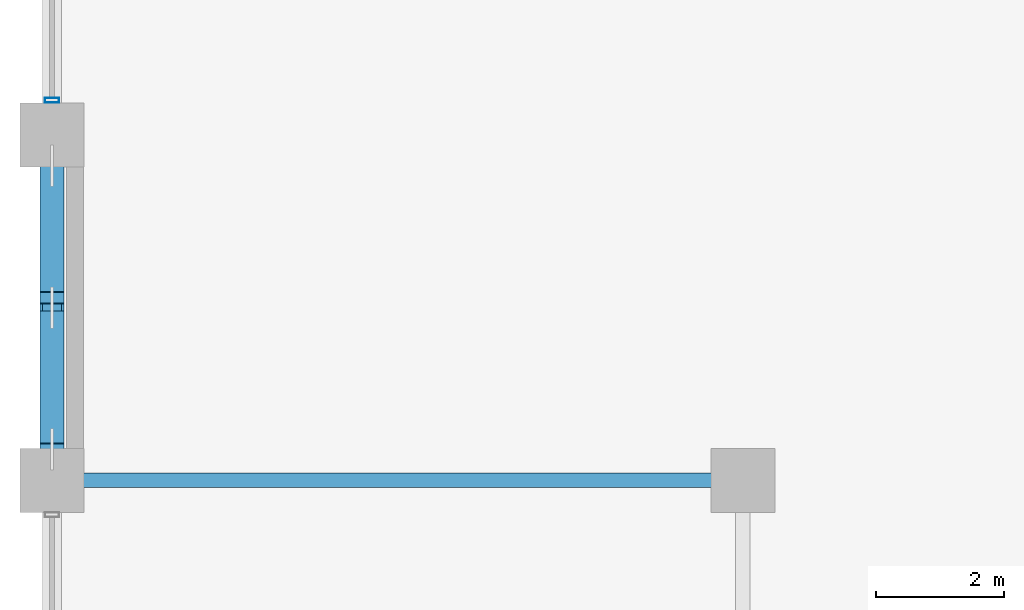
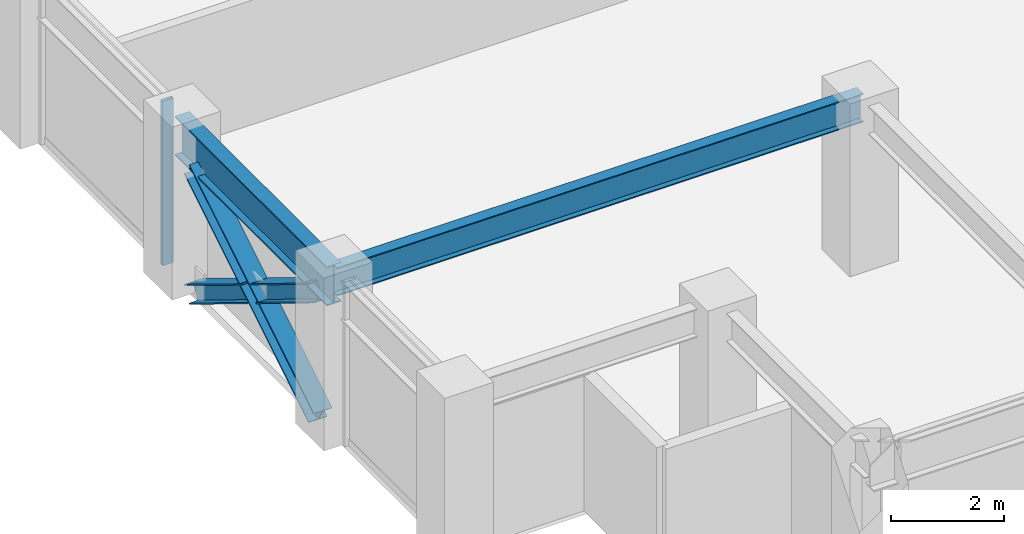
# One storey, part 3 of 23: 4 members, 2 beams, 1 element without a shape of its own.
"""IFC4 building model written with IfcOpenShell, lengths in metres."""

import ifcopenshell
import ifcopenshell.guid

model = None  # the IFC model being written
_history = None  # IfcOwnerHistory: only IFC2X3 demands one
_inside = {}  # id of a spatial element -> (the spatial element, [elements in it])
_under = {}  # id of a project, library or spatial element -> (it, [spatial elements below it])
_declared = {}  # id of a project -> (the project, [libraries it declares])
_typed = {}  # id of a type object -> (the type object, [elements of that type])
_made_of = {}  # id of a material, layer set ... -> (it, [elements and type objects made of it])


def new_model(schema):
    """Start an empty IFC model of exactly this schema.

    Asked for "IFC4X3", IfcOpenShell would pick the latest addendum, in which some entities
    have other attributes; the version numbers below select the first issue.
    IFC2X3 requires an IfcOwnerHistory on every rooted entity: one is made here for all.
    """
    global model, _history
    if schema == "IFC4X3":
        model = ifcopenshell.file(schema_version=(4, 3, 0, 0))
    else:
        model = ifcopenshell.file(schema=schema)
    _inside.clear()
    _under.clear()
    _declared.clear()
    _typed.clear()
    _made_of.clear()
    _history = None
    if model.schema == "IFC2X3":
        org = make("IfcOrganization", Name="unknown")
        user = make(
            "IfcPersonAndOrganization",
            ThePerson=make("IfcPerson", FamilyName="unknown"),
            TheOrganization=org,
        )
        app = make(
            "IfcApplication",
            ApplicationDeveloper=org,
            Version="unknown",
            ApplicationFullName="unknown",
            ApplicationIdentifier="unknown",
        )
        _history = make(
            "IfcOwnerHistory",
            OwningUser=user,
            OwningApplication=app,
            ChangeAction="ADDED",
            CreationDate=0,
        )
    return model


def make(cls, **values):
    """One entity of the class cls with the attributes given. An attribute that is None is left unset."""
    return model.create_entity(
        cls, **{name: value for name, value in values.items() if value is not None}
    )


def rooted(cls, **values):
    """An entity with a GlobalId (a new one), such as an element, a storey or a relation."""
    return make(cls, GlobalId=ifcopenshell.guid.new(), OwnerHistory=_history, **values)


def si_unit(unit_type, name, prefix=None):
    """IfcSIUnit, for example si_unit("LENGTHUNIT", "METRE", prefix="MILLI")."""
    return make("IfcSIUnit", UnitType=unit_type, Prefix=prefix, Name=name)


def assignment(units):
    """IfcUnitAssignment: the units of a project."""
    return None if units is None else make("IfcUnitAssignment", Units=units)


def point(xyz):
    """IfcCartesianPoint."""
    return None if xyz is None else make("IfcCartesianPoint", Coordinates=xyz)


def direction(xyz):
    """IfcDirection."""
    return None if xyz is None else make("IfcDirection", DirectionRatios=xyz)


def frame(location, z_axis=None, x_axis=None):
    """IfcAxis2Placement3D, a coordinate frame: its origin and axes. An axis left out is left unset."""
    return make(
        "IfcAxis2Placement3D",
        Location=point(location),
        Axis=direction(z_axis),
        RefDirection=direction(x_axis),
    )


def frame_2d(location, x_axis=None):
    """IfcAxis2Placement2D, a coordinate frame in the plane: its origin and x axis."""
    return make(
        "IfcAxis2Placement2D", Location=point(location), RefDirection=direction(x_axis)
    )


def origin():
    """The frame at (0, 0, 0) with its axes left unset."""
    return frame((0.0, 0.0, 0.0))


def origin_2d():
    """The frame at (0, 0) in the plane with its x axis left unset."""
    return frame_2d((0.0, 0.0))


def place(relative_to, where):
    """IfcLocalPlacement: puts the frame where relative to a parent placement (None: the world)."""
    return make(
        "IfcLocalPlacement", PlacementRelTo=relative_to, RelativePlacement=where
    )


def context(
    kind, dimensions, precision=None, world=None, true_north=None, identifier=None
):
    """IfcGeometricRepresentationContext, for example the 3D "Model" context."""
    return make(
        "IfcGeometricRepresentationContext",
        ContextIdentifier=identifier,
        ContextType=kind,
        CoordinateSpaceDimension=dimensions,
        Precision=precision,
        WorldCoordinateSystem=world,
        TrueNorth=true_north,
    )


def subcontext(parent, identifier, kind, view, scale=None):
    """IfcGeometricRepresentationSubContext, for example "Body" below "Model"."""
    return make(
        "IfcGeometricRepresentationSubContext",
        ContextIdentifier=identifier,
        ContextType=kind,
        ParentContext=parent,
        TargetScale=scale,
        TargetView=view,
    )


def project(units=None, contexts=None):
    """IfcProject with its units and contexts."""
    return rooted(
        "IfcProject",
        Name="project",
        RepresentationContexts=contexts,
        UnitsInContext=assignment(units),
    )


def spatial(cls, under=None, at=None, **own):
    """A site, building, storey or space (cls), placed at a placement, below another one or the project."""
    s = rooted(cls, ObjectPlacement=at, **own)
    if under is not None:
        _under.setdefault(under.id(), (under, []))[1].append(s)
    return s


def profile(cls, at=None, kind="AREA", **sizes):
    """A parametric profile (cls). Its sizes go by their IFC names, for example OverallWidth=200.0."""
    return make(cls, ProfileType=kind, Position=at, **sizes)


def hollow_rectangle(**sizes):
    """IfcRectangleHollowProfileDef."""
    return profile("IfcRectangleHollowProfileDef", **sizes)


def i_section(**sizes):
    """IfcIShapeProfileDef."""
    return profile("IfcIShapeProfileDef", **sizes)


def extrude(swept, where, along, depth):
    """IfcExtrudedAreaSolid: the profile swept, set in the frame where, extruded along a direction by depth."""
    return make(
        "IfcExtrudedAreaSolid",
        SweptArea=swept,
        Position=where,
        ExtrudedDirection=direction(along),
        Depth=depth,
    )


def shape(context_of_items, identifier, shape_type, items):
    """IfcShapeRepresentation: the items that make up one representation, for example the "Body"."""
    return make(
        "IfcShapeRepresentation",
        ContextOfItems=context_of_items,
        RepresentationIdentifier=identifier,
        RepresentationType=shape_type,
        Items=items,
    )


def material(Name=None, Category=None):
    """IfcMaterial."""
    return make("IfcMaterial", Name=Name, Category=Category)


def layer(
    of_material, thickness, ventilated=None, Name=None, Category=None, Priority=None
):
    """IfcMaterialLayer: one layer of a wall or slab, of a material (None: an air gap)."""
    return make(
        "IfcMaterialLayer",
        Material=of_material,
        LayerThickness=thickness,
        IsVentilated=ventilated,
        Name=Name,
        Category=Category,
        Priority=Priority,
    )


def layer_set(layers, Name=None):
    """IfcMaterialLayerSet."""
    return make("IfcMaterialLayerSet", MaterialLayers=layers, LayerSetName=Name)


def material_profile(
    of_material, cross_section, Name=None, Category=None, Priority=None
):
    """IfcMaterialProfile: a cross section and its material."""
    return make(
        "IfcMaterialProfile",
        Name=Name,
        Material=of_material,
        Profile=cross_section,
        Priority=Priority,
        Category=Category,
    )


def profile_set(profiles, Name=None, composite=None):
    """IfcMaterialProfileSet."""
    return make(
        "IfcMaterialProfileSet",
        Name=Name,
        MaterialProfiles=profiles,
        CompositeProfile=composite,
    )


def made_of(thing, what):
    """Note that an element or type object is made of a material, layer set ...; save() writes the relation."""
    if what is not None:
        _made_of.setdefault(what.id(), (what, []))[1].append(thing)
    return thing


def type_object(cls, material=None, **own):
    """A type object (cls), such as IfcWallType, which elements share."""
    return made_of(rooted(cls, **own), material)


def element(
    cls,
    number,
    at=None,
    inside=None,
    cuts=None,
    type_object=None,
    material=None,
    context=None,
    identifier="Body",
    shape_type=None,
    held_by="IfcProductDefinitionShape",
    body=None,
    shapes=None,
    **own,
):
    """One element of the class cls, such as IfcWall. Its Tag is "e" and its number.

    at: its placement. inside: the storey or other place that contains it. cuts: it is an
    opening in that element (IfcRelVoidsElement). A single representation is given by context,
    identifier, shape_type and body (its items); several are given by shapes. held_by: the class
    of the entity that holds the representations. save() writes the other relations.
    """
    e = rooted(cls, Tag="e%d" % number, ObjectPlacement=at, **own)
    if body is not None:
        shapes = [shape(context, identifier, shape_type, body)]
    if shapes is not None:
        e.Representation = make(held_by, Representations=shapes)
    if inside is not None:
        _inside.setdefault(inside.id(), (inside, []))[1].append(e)
    if cuts is not None:
        rooted(
            "IfcRelVoidsElement", RelatingBuildingElement=cuts, RelatedOpeningElement=e
        )
    if type_object is not None:
        _typed.setdefault(type_object.id(), (type_object, []))[1].append(e)
    return made_of(e, material)


def aggregate(whole, parts):
    """IfcRelAggregates: a whole, such as a stair, and the parts it consists of."""
    return rooted("IfcRelAggregates", RelatingObject=whole, RelatedObjects=parts)


def save(model, path):
    """Write the relations noted so far, then the file.

    IfcRelAggregates (storeys below a building ...), IfcRelContainedInSpatialStructure (elements
    in a storey), IfcRelDefinesByType, IfcRelAssociatesMaterial and IfcRelDeclares: one each for
    every whole, place, type object, material and project.
    """
    for whole, parts in _under.values():
        aggregate(whole, parts)
    for where, things in _inside.values():
        rooted(
            "IfcRelContainedInSpatialStructure",
            RelatedElements=things,
            RelatingStructure=where,
        )
    for kind, things in _typed.values():
        rooted("IfcRelDefinesByType", RelatedObjects=things, RelatingType=kind)
    for what, things in _made_of.values():
        rooted("IfcRelAssociatesMaterial", RelatedObjects=things, RelatingMaterial=what)
    for by, libraries in _declared.values():
        rooted("IfcRelDeclares", RelatingContext=by, RelatedDefinitions=libraries)
    model.write(path)


model = new_model("IFC4")

# Units and contexts
model_context = context("Model", 3, precision=1e-05, world=origin(), true_north=direction((0.0, 1.0)))
body_context = subcontext(model_context, "Body", "Model", "MODEL_VIEW")
ifc_project = project(units=[si_unit("LENGTHUNIT", "METRE"), si_unit("AREAUNIT", "SQUARE_METRE"), si_unit("VOLUMEUNIT", "CUBIC_METRE"), si_unit("PLANEANGLEUNIT", "RADIAN"), si_unit("MASSUNIT", "GRAM", prefix="KILO")], contexts=[model_context])

# Site, building, storey
site_placement = place(None, origin())
site = spatial("IfcSite", under=ifc_project, at=site_placement, CompositionType="ELEMENT")
building_placement = place(site_placement, origin())
building = spatial("IfcBuilding", under=site, at=building_placement, Name="Surkhivell Harbour Commons", CompositionType="ELEMENT")
storey_placement = place(building_placement, frame((0.0, 0.0, 128.25)))
storey = spatial("IfcBuildingStorey", under=building, at=storey_placement, Name="L33", CompositionType="ELEMENT", Elevation=128.25)

# Beams
ifc_material_1 = material(Name="Steel S355", Category="steel")
ifc_material_profile_1 = material_profile(ifc_material_1, i_section(OverallWidth=0.22998046875, OverallDepth=0.616943359375, WebThickness=0.01318359375, FlangeThickness=0.022216796875, at=origin_2d()), Name="UB610x229x140")
ifc_profile_set_1 = profile_set([ifc_material_profile_1], Name="Steel S355")
beam_type_1 = type_object("IfcBeamType", Name="BM-GRD-610B", PredefinedType="BEAM", material=ifc_profile_set_1)
beam_1_placement = place(storey_placement, frame((-32.39990234375, -16.199951171875, 3.261474609375), z_axis=(1.0, 0.0, 0.0), x_axis=(0.0, 1.0, 0.0)))
element("IfcBeam", 1, at=beam_1_placement, inside=storey, type_object=beam_type_1, Name="L33 Floor Girder (-32.4,-16.2)", PredefinedType="BEAM", context=body_context, shape_type="SweptSolid", body=[
    extrude(i_section(OverallWidth=0.22998046875, OverallDepth=0.616943359375, WebThickness=0.01318359375, FlangeThickness=0.022216796875, at=origin_2d()), origin(), (0.0, 0.0, 1.0), 10.7998046875),
])
ifc_material_2 = material(Name="Steel S460", Category="steel")
ifc_material_profile_2 = material_profile(ifc_material_2, i_section(OverallWidth=0.2939453125, OverallDepth=0.85107421875, WebThickness=0.01611328125, FlangeThickness=0.02685546875, at=origin_2d()), Name="UB838x292x226")
ifc_profile_set_2 = profile_set([ifc_material_profile_2], Name="Steel S460")
beam_type_2 = type_object("IfcBeamType", Name="BM-SPN-838", PredefinedType="SPANDREL", material=ifc_profile_set_2)
beam_2_placement = place(storey_placement, frame((-32.39990234375, -16.199951171875, 3.14453125), z_axis=(0.0, 1.0, 0.0), x_axis=(-1.0, 0.0, 0.0)))
element("IfcBeam", 2, at=beam_2_placement, inside=storey, type_object=beam_type_2, Name="L33 Tube Spandrel (-32.4,-16.2)", PredefinedType="SPANDREL", context=body_context, shape_type="SweptSolid", body=[
    extrude(i_section(OverallWidth=0.2939453125, OverallDepth=0.85107421875, WebThickness=0.01611328125, FlangeThickness=0.02685546875, at=origin_2d()), origin(), (0.0, 0.0, 1.0), 5.39990234375),
])

# Curtain wall, member
ifc_material_3 = material(Name="Anodised pale-metal aluminium and insulated glazing", Category="aluminium")
ifc_layer = layer(ifc_material_3, 0.205078125)
ifc_layer_set = layer_set([ifc_layer], Name="Anodised pale-metal aluminium and insulated glazing")
curtain_wall_type = type_object("IfcCurtainWallType", Name="CW-SYS-Z2", PredefinedType="NOTDEFINED", material=ifc_layer_set)
curtain_wall_placement = place(storey_placement, origin())
curtain_wall = element("IfcCurtainWall", 3, at=curtain_wall_placement, inside=storey, type_object=curtain_wall_type, Name="L33 Curtain Wall CW-L33-E12S1", PredefinedType="NOTDEFINED")
ifc_material_4 = material(Name="Anodised pale-metal aluminium alloy 6063-T6", Category="aluminium")
ifc_material_profile_3 = material_profile(ifc_material_4, hollow_rectangle(XDim=0.074951171875, YDim=0.219970703125, WallThickness=0.00390625, at=origin_2d()), Name="ALU-MULL-75x220")
ifc_profile_set_3 = profile_set([ifc_material_profile_3], Name="Anodised pale-metal aluminium alloy 6063-T6")
member_type_1 = type_object("IfcMemberType", Name="CWM-220", PredefinedType="MULLION", material=ifc_profile_set_3)
member_1_placement = place(storey_placement, frame((-32.39990234375, -10.260498046875, 0.0), z_axis=(0.0, 0.0, 1.0), x_axis=(0.0, -1.0, 0.0)))
member_1 = element("IfcMember", 4, at=member_1_placement, type_object=member_type_1, Name="CW-Z2 mullion 7", PredefinedType="MULLION", context=body_context, shape_type="SweptSolid", body=[
    extrude(hollow_rectangle(XDim=0.074951171875, YDim=0.219970703125, WallThickness=0.00390625, at=origin_2d()), origin(), (0.0, 0.0, 1.0), 3.570068359375),
])
aggregate(curtain_wall, [member_1])

# Members
ifc_material_profile_4 = material_profile(ifc_material_2, i_section(OverallWidth=0.375, OverallDepth=0.375, WebThickness=0.0166015625, FlangeThickness=0.027099609375, at=origin_2d()), Name="UC356x368x202")
ifc_profile_set_4 = profile_set([ifc_material_profile_4], Name="Steel S460")
member_type_2 = type_object("IfcMemberType", Name="MEM-BRC-UC356", PredefinedType="BRACE", material=ifc_profile_set_4)
member_2_placement = place(storey_placement, frame((-32.39990234375, -15.715087890625, 0.008056640625), z_axis=(0.0, 0.852637717293, 0.522502557936), x_axis=(-1.0, 0.0, 0.0)))
element("IfcMember", 5, at=member_2_placement, inside=storey, type_object=member_type_2, Name="L33 Perimeter Mega-Brace MB- 10", PredefinedType="BRACE", context=body_context, shape_type="SweptSolid", body=[
    extrude(i_section(OverallWidth=0.375, OverallDepth=0.375, WebThickness=0.0166015625, FlangeThickness=0.027099609375, at=origin_2d()), origin(), (0.0, 0.0, 1.0), 5.19580078125),
])
member_3_placement = place(storey_placement, frame((-32.39990234375, -11.284912109375, 0.008056640625), z_axis=(0.0, -0.852617215241, 0.52253601242), x_axis=(1.0, 0.0, 0.0)))
element("IfcMember", 6, at=member_3_placement, inside=storey, type_object=member_type_2, Name="L33 Perimeter Mega-Brace MB- 11", PredefinedType="BRACE", context=body_context, shape_type="SweptSolid", body=[
    extrude(i_section(OverallWidth=0.375, OverallDepth=0.375, WebThickness=0.0166015625, FlangeThickness=0.027099609375, at=origin_2d()), origin(), (0.0, 0.0, 1.0), 2.41796875),
])
member_4_placement = place(storey_placement, frame((-32.39990234375, -13.653564453125, 1.459716796875), z_axis=(0.0, -0.852662200332, 0.522462603567), x_axis=(1.0, 0.0, 0.0)))
element("IfcMember", 7, at=member_4_placement, inside=storey, type_object=member_type_2, Name="L33 Perimeter Mega-Brace MB- 12", PredefinedType="BRACE", context=body_context, shape_type="SweptSolid", body=[
    extrude(i_section(OverallWidth=0.375, OverallDepth=0.375, WebThickness=0.0166015625, FlangeThickness=0.027099609375, at=origin_2d()), origin(), (0.0, 0.0, 1.0), 2.417724609375),
])

save(model, "model.ifc")
